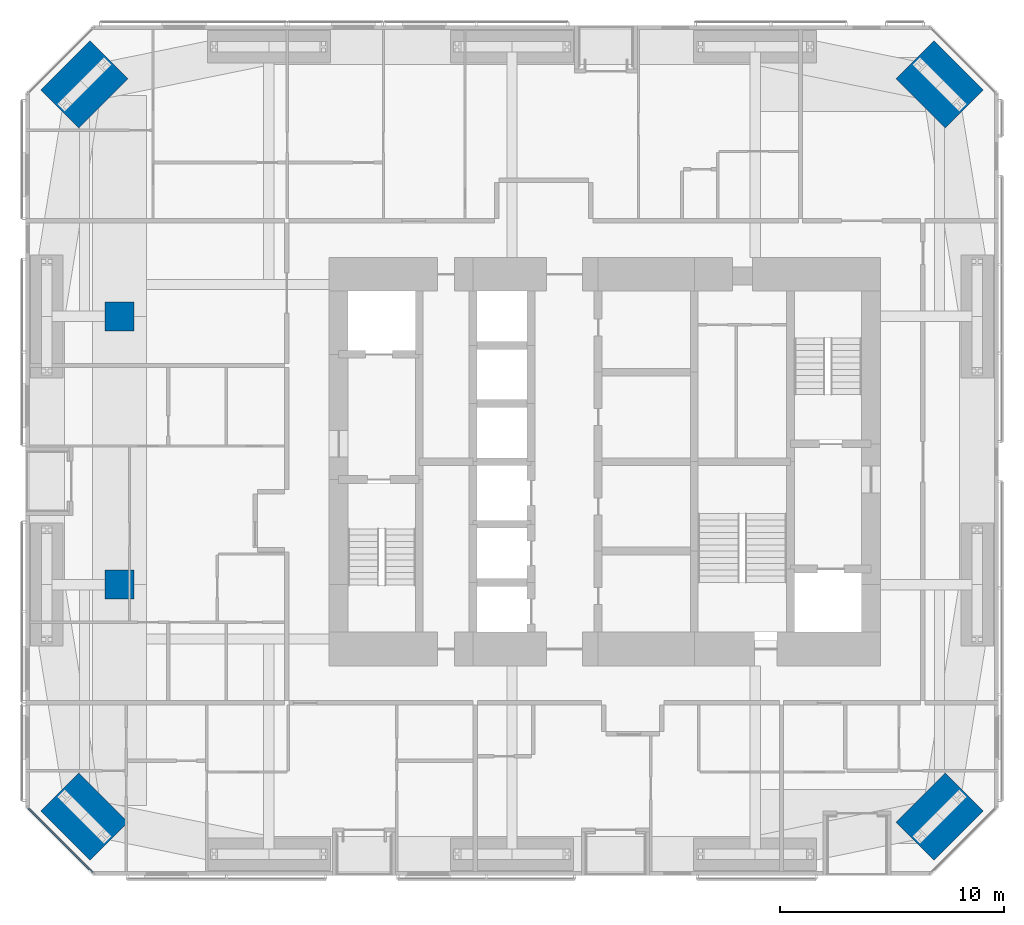
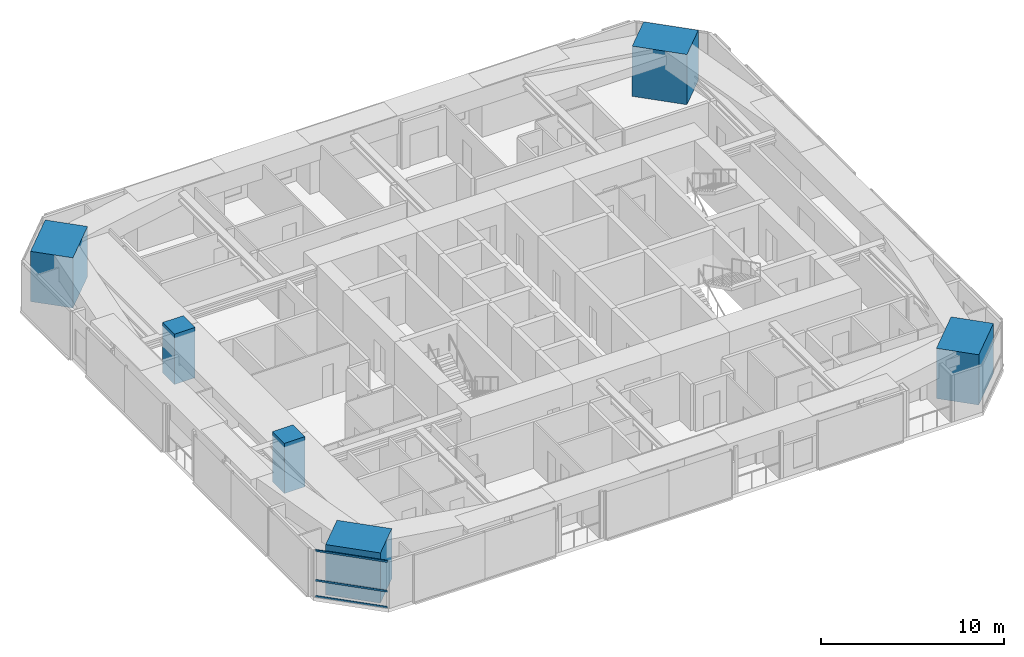
# One storey, part 1 of 23: 6 columns, 3 members, 1 element without a shape of its own.
"""IFC4 building model written with IfcOpenShell, lengths in metres."""

from ifc_helpers import new_model, si_unit, direction, frame, origin, origin_2d, place, context, subcontext, project, spatial, rectangle, extrude, material, material_profile, profile_set, type_object, element, aggregate, save


model = new_model("IFC4")

# Units and contexts
model_context = context("Model", 3, precision=1e-05, world=origin(), true_north=direction((0.0, 1.0)))
body_context = subcontext(model_context, "Body", "Model", "MODEL_VIEW")
ifc_project = project(units=[si_unit("LENGTHUNIT", "METRE"), si_unit("AREAUNIT", "SQUARE_METRE"), si_unit("VOLUMEUNIT", "CUBIC_METRE"), si_unit("PLANEANGLEUNIT", "RADIAN"), si_unit("MASSUNIT", "GRAM", prefix="KILO")], contexts=[model_context])

# Site, building, storey
site_placement = place(None, origin())
site = spatial("IfcSite", under=ifc_project, at=site_placement, CompositionType="ELEMENT")
building_placement = place(site_placement, origin())
building = spatial("IfcBuilding", under=site, at=building_placement, Name="Jalousie Tower", CompositionType="ELEMENT")
storey_placement = place(building_placement, frame((0.0, 0.0, 108.199951171875)))
storey = spatial("IfcBuildingStorey", under=building, at=storey_placement, Name="L29", CompositionType="ELEMENT", Elevation=108.199951171875)

# Columns
ifc_material_1 = material(Name="Concrete f'c 120 MPa", Category="concrete")
ifc_material_profile_1 = material_profile(ifc_material_1, rectangle(XDim=1.300048828125, YDim=1.300048828125, at=origin_2d()), Name="RC 1300x1300")
ifc_profile_set_1 = profile_set([ifc_material_profile_1], Name="Concrete f'c 120 MPa")
column_type_1 = type_object("IfcColumnType", Name="RC COLUMN 1300x1300", PredefinedType="COLUMN", material=ifc_profile_set_1)
for number, where, z_axis, x_axis, name in (
    (1, (10.199951171875, 13.0, 0.0), (0.0, 0.0, 1.0), (1.0, 0.0, 0.0), "Interior column IB1 L29"),
    (2, (10.199951171875, 25.0, 0.0), (0.0, 0.0, 1.0), (1.0, 0.0, 0.0), "Interior column IB2 L29"),
):
    element("IfcColumn", number, at=place(storey_placement, frame(where, z_axis=z_axis, x_axis=x_axis)), inside=storey, type_object=column_type_1, Name=name, PredefinedType="COLUMN", context=body_context, shape_type="SweptSolid", body=[
        extrude(rectangle(XDim=1.300048828125, YDim=1.300048828125, at=origin_2d()), origin(), (0.0, 0.0, 1.0), 3.35009765625),
    ])
ifc_material_2 = material(Name="Concrete f'c 120 MPa", Category="concrete")
ifc_material_profile_2 = material_profile(ifc_material_2, rectangle(XDim=2.39990234375, YDim=3.10009765625, at=origin_2d()), Name="RC 2400x3100")
ifc_profile_set_2 = profile_set([ifc_material_profile_2], Name="Concrete f'c 120 MPa")
column_type_2 = type_object("IfcColumnType", Name="RC CORNER COLUMN 2400x3100", PredefinedType="COLUMN", material=ifc_profile_set_2)
for number, where, z_axis, x_axis, name in (
    (3, (8.63134765625, 2.63134765625, 0.0), (0.0, 0.0, 1.0), (0.707106781187, 0.707106781187, 0.0), "Corner column 01 L29"),
    (4, (46.86865234375, 2.63134765625, 0.0), (0.0, 0.0, 1.0), (-0.707106781187, 0.707106781187, 0.0), "Corner column 05 L29"),
    (5, (46.86865234375, 35.36865234375, 0.0), (0.0, 0.0, 1.0), (-0.707106781187, -0.707106781187, 0.0), "Corner column 08 L29"),
    (6, (8.63134765625, 35.36865234375, 0.0), (0.0, 0.0, 1.0), (0.707106781187, -0.707106781187, 0.0), "Corner column 12 L29"),
):
    element("IfcColumn", number, at=place(storey_placement, frame(where, z_axis=z_axis, x_axis=x_axis)), inside=storey, type_object=column_type_2, Name=name, PredefinedType="COLUMN", context=body_context, shape_type="SweptSolid", body=[
        extrude(rectangle(XDim=2.39990234375, YDim=3.10009765625, at=origin_2d()), origin(), (0.0, 0.0, 1.0), 3.35009765625),
    ])

# Curtain wall, members
ifc_material_3 = material(Name="Aluminium curtain wall", Category="aluminium")
curtain_wall_type = type_object("IfcCurtainWallType", Name="CORNER WINDOW WALL", PredefinedType="USERDEFINED", material=ifc_material_3)
curtain_wall_placement = place(storey_placement, origin())
curtain_wall = element("IfcCurtainWall", 7, at=curtain_wall_placement, inside=storey, type_object=curtain_wall_type, Name="Corner Window Wall L29 8", ObjectType="CORNER WINDOW WALL", PredefinedType="USERDEFINED")
ifc_material_4 = material(Name="Aluminium transom", Category="aluminium")
ifc_material_profile_3 = material_profile(ifc_material_4, rectangle(XDim=0.06005859375, YDim=0.1201171875, at=origin_2d()), Name="TRANSOM 60x120")
ifc_profile_set_3 = profile_set([ifc_material_profile_3], Name="Aluminium transom")
member_type = type_object("IfcMemberType", Name="CORNER WINDOW WALL TRANSOM", PredefinedType="USERDEFINED", material=ifc_profile_set_3)
member_1_placement = place(storey_placement, frame((6.1298828125, 3.0087890625, 0.030029296875), z_axis=(0.707106781187, -0.707106781187, 0.0), x_axis=(0.707106781187, 0.707106781187, 0.0)))
member_1 = element("IfcMember", 8, at=member_1_placement, type_object=member_type, Name="CW-C transom 1.1", ObjectType="TRANSOM", PredefinedType="USERDEFINED", context=body_context, shape_type="SweptSolid", body=[
    extrude(rectangle(XDim=0.06005859375, YDim=0.1201171875, at=origin_2d()), origin(), (0.0, 0.0, 1.0), 4.0712890625),
])
member_2_placement = place(storey_placement, frame((6.1298828125, 3.0087890625, 1.10009765625), z_axis=(0.707106781187, -0.707106781187, 0.0), x_axis=(0.707106781187, 0.707106781187, 0.0)))
member_2 = element("IfcMember", 9, at=member_2_placement, type_object=member_type, Name="CW-C transom 1.2", ObjectType="TRANSOM", PredefinedType="USERDEFINED", context=body_context, shape_type="SweptSolid", body=[
    extrude(rectangle(XDim=0.06005859375, YDim=0.1201171875, at=origin_2d()), origin(), (0.0, 0.0, 1.0), 4.0712890625),
])
member_3_placement = place(storey_placement, frame((6.1298828125, 3.0087890625, 3.080078125), z_axis=(0.707106781187, -0.707106781187, 0.0), x_axis=(0.707106781187, 0.707106781187, 0.0)))
member_3 = element("IfcMember", 10, at=member_3_placement, type_object=member_type, Name="CW-C transom 1.3", ObjectType="TRANSOM", PredefinedType="USERDEFINED", context=body_context, shape_type="SweptSolid", body=[
    extrude(rectangle(XDim=0.06005859375, YDim=0.1201171875, at=origin_2d()), origin(), (0.0, 0.0, 1.0), 4.0712890625),
])
aggregate(curtain_wall, [member_1, member_2, member_3])

save(model, "model.ifc")
